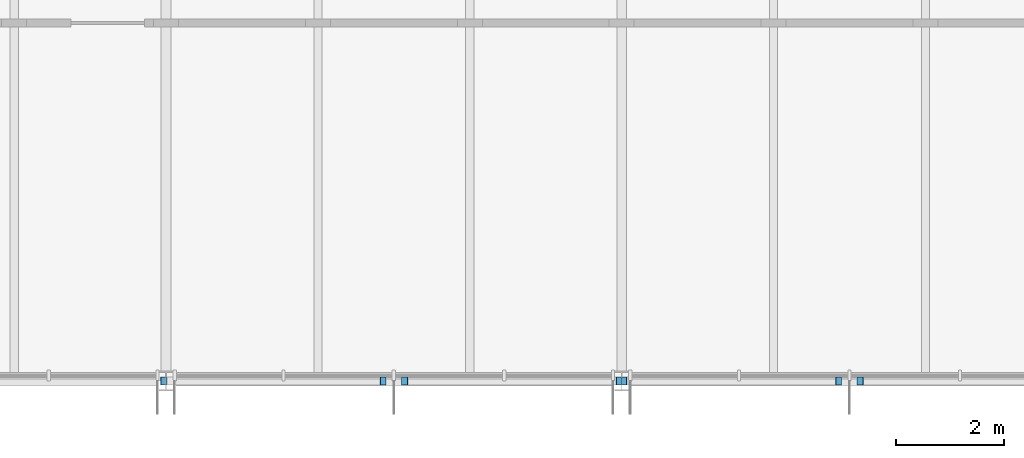
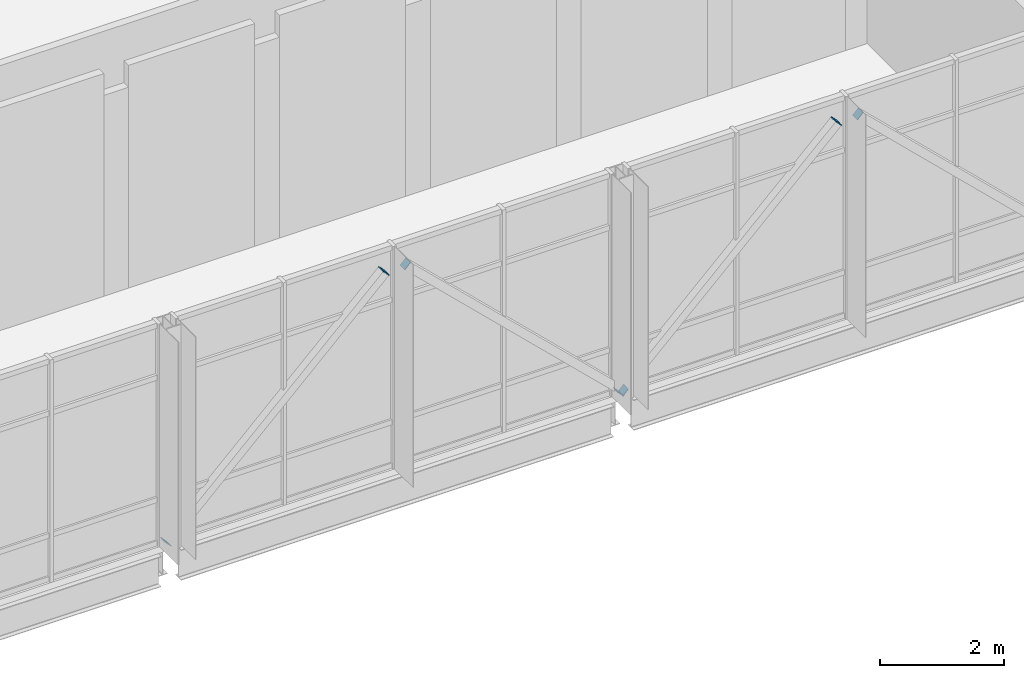
# One storey, part 51 of 72: 7 discrete accessories.
"""IFC4 building model written with IfcOpenShell, lengths in metres."""

from ifc_helpers import new_model, si_unit, direction, frame, origin, origin_2d, place, context, subcontext, project, spatial, rectangle, extrude, material, element, save


model = new_model("IFC4")

# Units and contexts
model_context = context("Model", 3, precision=1e-05, world=origin(), true_north=direction((0.0, 1.0)))
body_context = subcontext(model_context, "Body", "Model", "MODEL_VIEW")
ifc_project = project(units=[si_unit("LENGTHUNIT", "METRE"), si_unit("AREAUNIT", "SQUARE_METRE"), si_unit("VOLUMEUNIT", "CUBIC_METRE"), si_unit("PLANEANGLEUNIT", "RADIAN"), si_unit("MASSUNIT", "GRAM", prefix="KILO")], contexts=[model_context])

# Site, building, storey
site_placement = place(None, origin())
site = spatial("IfcSite", under=ifc_project, at=site_placement, CompositionType="ELEMENT")
building_placement = place(site_placement, origin())
building = spatial("IfcBuilding", under=site, at=building_placement, Name="Hlaing Beacon Police Headquarters", CompositionType="ELEMENT")
storey_placement = place(building_placement, frame((0.0, 0.0, 14.39990234375)))
storey = spatial("IfcBuildingStorey", under=building, at=storey_placement, Name="L03", CompositionType="ELEMENT", Elevation=14.39990234375)

# Discrete accessories
ifc_material = material(Name="Steel ASTM A572 Grade 50", Category="steel")
for number, where, z_axis, x_axis, name in (
    (1, (25.160400390625, 8.39990234375, 0.059326171875), (-0.719983903196, 0.0, -0.693990763006), (0.0, -1.0, 0.0), "Gusset plate GP-009"),
    (2, (29.195556640625, 8.39990234375, 3.948974609375), (0.719983903196, 0.0, 0.693990763006), (0.0, 1.0, 0.0), "Gusset plate GP-010"),
    (3, (33.6396484375, 8.39990234375, 0.059326171875), (0.719983903196, 0.0, -0.693990763006), (0.0, 1.0, 0.0), "Gusset plate GP-011"),
    (4, (29.6044921875, 8.39990234375, 3.948974609375), (-0.719983903196, 0.0, 0.693990763006), (0.0, -1.0, 0.0), "Gusset plate GP-012"),
    (5, (33.560302734375, 8.39990234375, 0.059326171875), (-0.720004836827, 0.0, -0.693969044659), (0.0, -1.0, 0.0), "Gusset plate GP-013"),
    (6, (37.595703125, 8.39990234375, 3.948974609375), (0.720004836827, 0.0, 0.693969044659), (0.0, 1.0, 0.0), "Gusset plate GP-014"),
    (7, (38.00439453125, 8.39990234375, 3.948974609375), (-0.719983903196, 0.0, 0.693990763006), (0.0, -1.0, 0.0), "Gusset plate GP-016"),
):
    element("IfcDiscreteAccessory", number, at=place(storey_placement, frame(where, z_axis=z_axis, x_axis=x_axis)), inside=storey, material=ifc_material, Name=name, PredefinedType="BRACKET", context=body_context, shape_type="SweptSolid", body=[
        extrude(rectangle(XDim=0.15234375, YDim=0.15234375, at=origin_2d()), origin(), (0.0, 0.0, 1.0), 0.011962890625),
    ])

save(model, "model.ifc")
